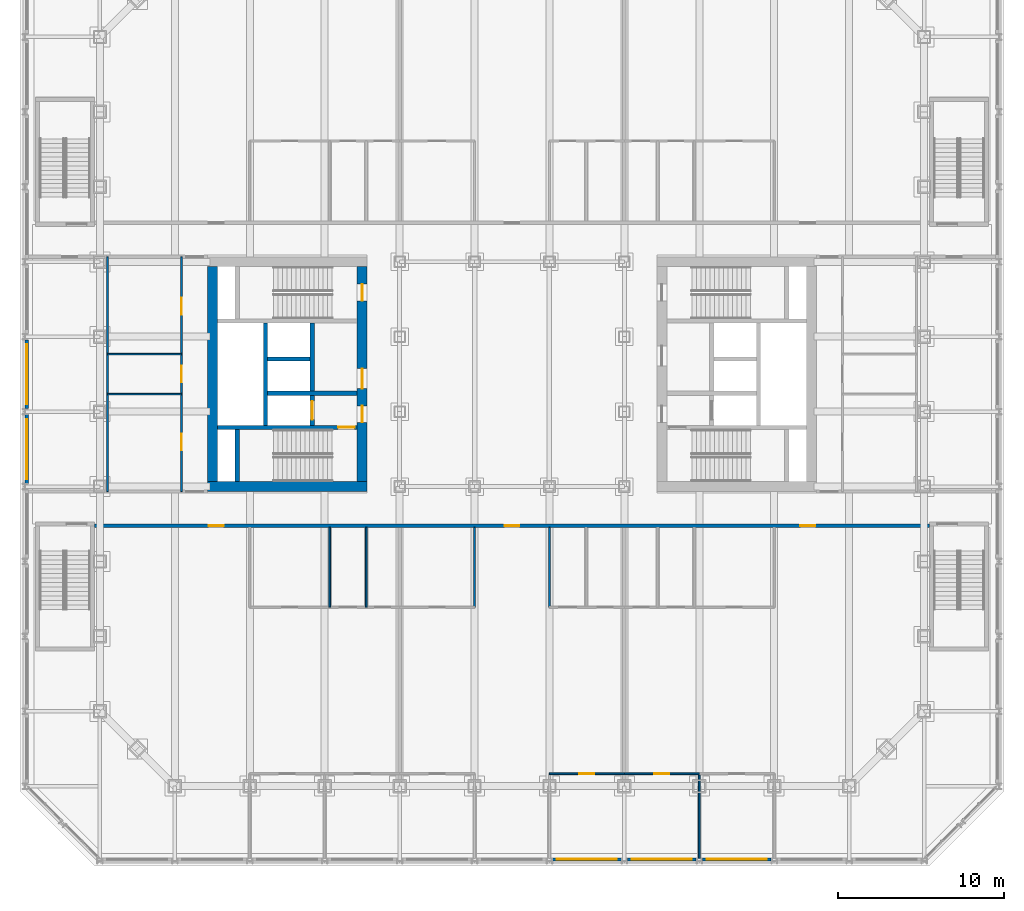
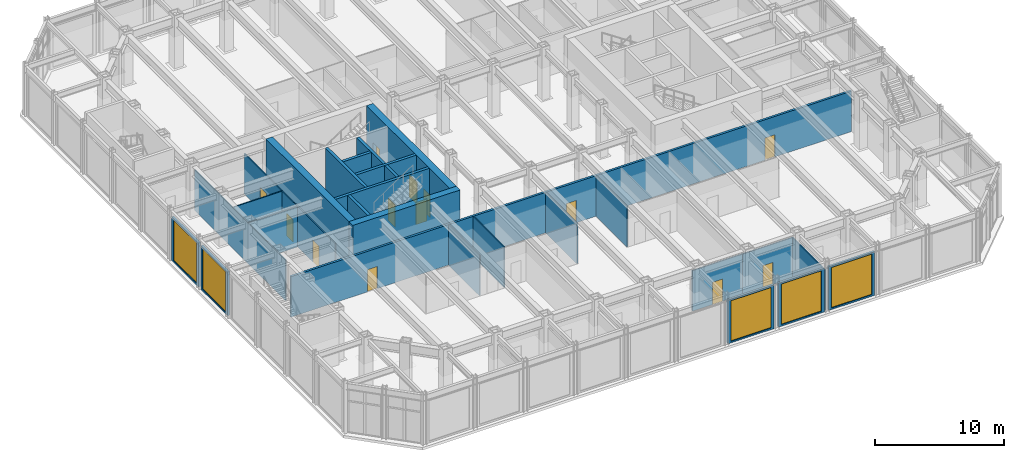
# One storey, part 11 of 19: 26 walls, 13 doors, 5 windows, 18 openings.
"""IFC4 building model written with IfcOpenShell, lengths in metres."""

from ifc_helpers import new_model, si_unit, direction, frame, frame_2d, origin, place, context, subcontext, project, spatial, rectangle, extrude, material, layer, layer_set, type_object, element, fill, save


model = new_model("IFC4")

# Units and contexts
model_context = context("Model", 3, precision=1e-05, world=origin(), true_north=direction((0.0, 1.0)))
body_context = subcontext(model_context, "Body", "Model", "MODEL_VIEW")
ifc_project = project(units=[si_unit("LENGTHUNIT", "METRE"), si_unit("AREAUNIT", "SQUARE_METRE"), si_unit("VOLUMEUNIT", "CUBIC_METRE"), si_unit("PLANEANGLEUNIT", "RADIAN"), si_unit("MASSUNIT", "GRAM", prefix="KILO")], contexts=[model_context])

# Site, building, storey
site_placement = place(None, origin())
site = spatial("IfcSite", under=ifc_project, at=site_placement, CompositionType="ELEMENT")
building_placement = place(site_placement, origin())
building = spatial("IfcBuilding", under=site, at=building_placement, Name="Msasa Ring Tower", CompositionType="ELEMENT")
storey_placement = place(building_placement, frame((0.0, 0.0, 6.0)))
storey = spatial("IfcBuildingStorey", under=building, at=storey_placement, Name="L01", CompositionType="ELEMENT", Elevation=6.0)

# Wall
ifc_material_1 = material(Name="Concrete C60/75", Category="concrete")
ifc_layer_1 = layer(ifc_material_1, 0.60009765625)
ifc_layer_set_1 = layer_set([ifc_layer_1], Name="CW1 CORE WALL 600")
wall_type_1 = type_object("IfcWallType", Name="CW1 CORE WALL 600", PredefinedType="SHEAR", material=ifc_layer_set_1)
wall_1_placement = place(storey_placement, frame((-8.699951171875, -6.75, 0.0), z_axis=(0.0, 0.0, 1.0), x_axis=(-1.0, 0.0, 0.0)))
element("IfcWall", 1, at=wall_1_placement, inside=storey, type_object=wall_type_1, Name="W core wall S L01", PredefinedType="SHEAR", context=body_context, shape_type="SweptSolid", body=[
    extrude(rectangle(XDim=9.60009765625, YDim=0.60009765625, at=frame_2d((4.800048828125, 0.0))), origin(), (0.0, 0.0, 1.0), 5.0),
])

# Wall, openings, doors
wall_2_placement = place(storey_placement, frame((-9.0, -6.449951171875, 0.0), z_axis=(0.0, 0.0, 1.0), x_axis=(0.0, 1.0, 0.0)))
wall_2 = element("IfcWall", 2, at=wall_2_placement, inside=storey, type_object=wall_type_1, Name="W core wall W L01", PredefinedType="SHEAR", context=body_context, shape_type="SweptSolid", body=[
    extrude(rectangle(XDim=12.89990234375, YDim=0.60009765625, at=frame_2d((6.449951171875, 0.0))), origin(), (0.0, 0.0, 1.0), 5.0),
])
opening_1_placement = place(wall_2_placement, frame((3.550048828125, 0.0, 0.0)))
opening_1 = element("IfcOpeningElement", 3, at=opening_1_placement, cuts=wall_2, Name="Opening L01-027", PredefinedType="OPENING", context=body_context, shape_type="SweptSolid", body=[
    extrude(rectangle(XDim=1.0, YDim=2.10009765625, at=frame_2d((0.5, 1.050048828125))), frame((0.0, 0.31005859375, 0.0), z_axis=(0.0, -1.0, 0.0), x_axis=(1.0, 0.0, 0.0)), (0.0, 0.0, 1.0), 0.6201171875),
])
opening_2_placement = place(wall_2_placement, frame((5.574951171875, 0.0, 0.0)))
opening_2 = element("IfcOpeningElement", 4, at=opening_2_placement, cuts=wall_2, Name="Opening L01-026", PredefinedType="OPENING", context=body_context, shape_type="SweptSolid", body=[
    extrude(rectangle(XDim=1.199951171875, YDim=2.10009765625, at=frame_2d((0.60009765625, 1.050048828125))), frame((0.0, 0.31005859375, 0.0), z_axis=(0.0, -1.0, 0.0), x_axis=(1.0, 0.0, 0.0)), (0.0, 0.0, 1.0), 0.6201171875),
])
opening_3_placement = place(wall_2_placement, frame((10.85009765625, 0.0, 0.0)))
opening_3 = element("IfcOpeningElement", 5, at=opening_3_placement, cuts=wall_2, Name="Opening L01-019", PredefinedType="OPENING", context=body_context, shape_type="SweptSolid", body=[
    extrude(rectangle(XDim=1.0, YDim=2.10009765625, at=frame_2d((0.5, 1.050048828125))), frame((0.0, 0.31005859375, 0.0), z_axis=(0.0, -1.0, 0.0), x_axis=(1.0, 0.0, 0.0)), (0.0, 0.0, 1.0), 0.6201171875),
])
ifc_material_2 = material(Name="Timber door leaf in a steel frame", Category="steel")
door_type_1 = type_object("IfcDoorType", Name="D26 WIDE SERVICE ROOM DOOR 1200x2100", OperationType="SINGLE_SWING_LEFT", PredefinedType="DOOR", material=ifc_material_2)
door_1_placement = place(opening_2_placement, origin())
door_1 = element("IfcDoor", 6, at=door_1_placement, inside=storey, type_object=door_type_1, Name="Door L01-WCR", OperationType="SINGLE_SWING_LEFT", OverallHeight=2.10009765625, OverallWidth=1.199951171875, PredefinedType="DOOR", context=body_context, shape_type="SweptSolid", body=[
    extrude(rectangle(XDim=1.199951171875, YDim=2.10009765625, at=frame_2d((0.60009765625, 1.050048828125))), frame((0.0, 0.02490234375, 0.0), z_axis=(0.0, -1.0, 0.0), x_axis=(1.0, 0.0, 0.0)), (0.0, 0.0, 1.0), 0.050048828125),
])
fill(opening_2, door_1)
ifc_material_3 = material(Name="Timber door leaf in a steel frame", Category="steel")
door_type_2 = type_object("IfcDoorType", Name="D4 LOBBY DOOR 1000x2100", OperationType="SINGLE_SWING_LEFT", PredefinedType="DOOR", material=ifc_material_3)
door_2_placement = place(opening_1_placement, origin())
door_2 = element("IfcDoor", 7, at=door_2_placement, inside=storey, type_object=door_type_2, Name="Door L01-WFFL", OperationType="SINGLE_SWING_LEFT", OverallHeight=2.10009765625, OverallWidth=1.0, PredefinedType="DOOR", context=body_context, shape_type="SweptSolid", body=[
    extrude(rectangle(XDim=1.0, YDim=2.10009765625, at=frame_2d((0.5, 1.050048828125))), frame((0.0, 0.02490234375, 0.0), z_axis=(0.0, -1.0, 0.0), x_axis=(1.0, 0.0, 0.0)), (0.0, 0.0, 1.0), 0.050048828125),
])
fill(opening_1, door_2)
ifc_material_4 = material(Name="Timber door leaf in a steel frame", Category="steel")
door_type_3 = type_object("IfcDoorType", Name="D6 STAIR DOOR 1000x2100", OperationType="SINGLE_SWING_LEFT", PredefinedType="DOOR", material=ifc_material_4)
door_3_placement = place(opening_3_placement, origin())
door_3 = element("IfcDoor", 8, at=door_3_placement, inside=storey, type_object=door_type_3, Name="Door L01-WSTB", OperationType="SINGLE_SWING_RIGHT", OverallHeight=2.10009765625, OverallWidth=1.0, PredefinedType="DOOR", context=body_context, shape_type="SweptSolid", body=[
    extrude(rectangle(XDim=1.0, YDim=2.10009765625, at=frame_2d((0.5, 1.050048828125))), frame((0.0, 0.02490234375, 0.0), z_axis=(0.0, -1.0, 0.0), x_axis=(1.0, 0.0, 0.0)), (0.0, 0.0, 1.0), 0.050048828125),
])
fill(opening_3, door_3)

# Wall
wall_3_placement = place(storey_placement, frame((-18.0, -6.449951171875, 0.0), z_axis=(0.0, 0.0, 1.0), x_axis=(0.0, 1.0, 0.0)))
element("IfcWall", 9, at=wall_3_placement, inside=storey, type_object=wall_type_1, Name="W core wall E L01", PredefinedType="SHEAR", context=body_context, shape_type="SweptSolid", body=[
    extrude(rectangle(XDim=12.89990234375, YDim=0.60009765625, at=frame_2d((6.449951171875, 0.0))), origin(), (0.0, 0.0, 1.0), 5.0),
])

# Wall, opening, door
ifc_material_5 = material(Name="Concrete C60/75", Category="concrete")
ifc_layer_2 = layer(ifc_material_5, 0.25)
ifc_layer_set_2 = layer_set([ifc_layer_2], Name="CW4 CORE INNER WALL 250")
wall_type_2 = type_object("IfcWallType", Name="CW4 CORE INNER WALL 250", PredefinedType="SHEAR", material=ifc_layer_set_2)
wall_4_placement = place(storey_placement, frame((-9.300048828125, -3.199951171875, 0.0), z_axis=(0.0, 0.0, 1.0), x_axis=(-1.0, 0.0, 0.0)))
wall_4 = element("IfcWall", 10, at=wall_4_placement, inside=storey, type_object=wall_type_2, Name="W core wall STAIRA L01", PredefinedType="SHEAR", context=body_context, shape_type="SweptSolid", body=[
    extrude(rectangle(XDim=8.39990234375, YDim=0.25, at=frame_2d((4.199951171875, 0.0))), origin(), (0.0, 0.0, 1.0), 5.0),
])
opening_4_placement = place(wall_4_placement, frame((0.14990234375, 0.0, 0.0)))
opening_4 = element("IfcOpeningElement", 11, at=opening_4_placement, cuts=wall_4, Name="Opening L01-029", PredefinedType="OPENING", context=body_context, shape_type="SweptSolid", body=[
    extrude(rectangle(XDim=1.0, YDim=2.10009765625, at=frame_2d((0.5, 1.050048828125))), frame((0.0, 0.135009765625, 0.0), z_axis=(0.0, -1.0, 0.0), x_axis=(1.0, 0.0, 0.0)), (0.0, 0.0, 1.0), 0.27001953125),
])
door_4_placement = place(opening_4_placement, origin())
door_4 = element("IfcDoor", 12, at=door_4_placement, inside=storey, type_object=door_type_3, Name="Door L01-WSTA", OperationType="SINGLE_SWING_LEFT", OverallHeight=2.10009765625, OverallWidth=1.0, PredefinedType="DOOR", context=body_context, shape_type="SweptSolid", body=[
    extrude(rectangle(XDim=1.0, YDim=2.10009765625, at=frame_2d((0.5, 1.050048828125))), frame((0.0, 0.02490234375, 0.0), z_axis=(0.0, -1.0, 0.0), x_axis=(1.0, 0.0, 0.0)), (0.0, 0.0, 1.0), 0.050048828125),
])
fill(opening_4, door_4)

# Walls
wall_5_placement = place(storey_placement, frame((-16.5, -6.449951171875, 0.0), z_axis=(0.0, 0.0, 1.0), x_axis=(0.0, 1.0, 0.0)))
element("IfcWall", 13, at=wall_5_placement, inside=storey, type_object=wall_type_2, Name="W core wall RISERA L01", PredefinedType="SHEAR", context=body_context, shape_type="SweptSolid", body=[
    extrude(rectangle(XDim=3.125, YDim=0.25, at=frame_2d((1.5625, 0.0))), origin(), (0.0, 0.0, 1.0), 5.0),
])
wall_6_placement = place(storey_placement, frame((-9.300048828125, -1.14990234375, 0.0), z_axis=(0.0, 0.0, 1.0), x_axis=(-1.0, 0.0, 0.0)))
element("IfcWall", 14, at=wall_6_placement, inside=storey, type_object=wall_type_2, Name="W core wall FFL L01", PredefinedType="SHEAR", context=body_context, shape_type="SweptSolid", body=[
    extrude(rectangle(XDim=5.375, YDim=0.25, at=frame_2d((2.6875, 0.0))), origin(), (0.0, 0.0, 1.0), 5.0),
])

# Wall, opening, door
wall_7_placement = place(storey_placement, frame((-12.0, -3.074951171875, 0.0), z_axis=(0.0, 0.0, 1.0), x_axis=(0.0, 1.0, 0.0)))
wall_7 = element("IfcWall", 15, at=wall_7_placement, inside=storey, type_object=wall_type_2, Name="W core wall LOBBY L01", PredefinedType="SHEAR", context=body_context, shape_type="SweptSolid", body=[
    extrude(rectangle(XDim=6.14990234375, YDim=0.25, at=frame_2d((3.074951171875, 0.0))), origin(), (0.0, 0.0, 1.0), 5.0),
])
opening_5_placement = place(wall_7_placement, frame((0.35009765625, 0.0, 0.0)))
opening_5 = element("IfcOpeningElement", 16, at=opening_5_placement, cuts=wall_7, Name="Opening LD1", PredefinedType="OPENING", context=body_context, shape_type="SweptSolid", body=[
    extrude(rectangle(XDim=1.10009765625, YDim=2.10009765625, at=frame_2d((0.550048828125, 1.050048828125))), frame((0.0, 0.135009765625, 0.0), z_axis=(0.0, -1.0, 0.0), x_axis=(1.0, 0.0, 0.0)), (0.0, 0.0, 1.0), 0.27001953125),
])
ifc_material_6 = material(Name="Stainless steel lift landing door", Category="steel")
door_type_4 = type_object("IfcDoorType", Name="LD1 LIFT LANDING DOOR 1100x2100", OperationType="DOUBLE_DOOR_SLIDING", PredefinedType="DOOR", material=ifc_material_6)
door_5_placement = place(opening_5_placement, origin())
door_5 = element("IfcDoor", 17, at=door_5_placement, inside=storey, type_object=door_type_4, Name="Lift landing door FL-W L01", OperationType="DOUBLE_DOOR_SLIDING", OverallHeight=2.10009765625, OverallWidth=1.10009765625, PredefinedType="DOOR", context=body_context, shape_type="SweptSolid", body=[
    extrude(rectangle(XDim=1.10009765625, YDim=2.10009765625, at=frame_2d((0.550048828125, 1.050048828125))), frame((0.0, 0.02490234375, 0.0), z_axis=(0.0, -1.0, 0.0), x_axis=(1.0, 0.0, 0.0)), (0.0, 0.0, 1.0), 0.050048828125),
])
fill(opening_5, door_5)

# Walls
wall_8_placement = place(storey_placement, frame((-14.800048828125, -3.074951171875, 0.0), z_axis=(0.0, 0.0, 1.0), x_axis=(0.0, 1.0, 0.0)))
element("IfcWall", 18, at=wall_8_placement, inside=storey, type_object=wall_type_2, Name="W core wall SHAFT L01", PredefinedType="SHEAR", context=body_context, shape_type="SweptSolid", body=[
    extrude(rectangle(XDim=6.14990234375, YDim=0.25, at=frame_2d((3.074951171875, 0.0))), origin(), (0.0, 0.0, 1.0), 5.0),
])
wall_9_placement = place(storey_placement, frame((-12.125, 0.89990234375, 0.0), z_axis=(0.0, 0.0, 1.0), x_axis=(-1.0, 0.0, 0.0)))
element("IfcWall", 19, at=wall_9_placement, inside=storey, type_object=wall_type_2, Name="W core wall LIFT1 L01", PredefinedType="SHEAR", context=body_context, shape_type="SweptSolid", body=[
    extrude(rectangle(XDim=2.550048828125, YDim=0.25, at=frame_2d((1.27490234375, 0.0))), origin(), (0.0, 0.0, 1.0), 5.0),
])

# Wall, opening, window
ifc_material_7 = material(Name="Terracotta rainscreen on blockwork", Category="masonry")
ifc_layer_3 = layer(ifc_material_7, 0.199951171875)
ifc_layer_set_3 = layer_set([ifc_layer_3], Name="FW2 TERRACOTTA PODIUM BAY WALL 200")
wall_type_3 = type_object("IfcWallType", Name="FW2 TERRACOTTA PODIUM BAY WALL 200", PredefinedType="SOLIDWALL", material=ifc_layer_set_3)
wall_10_placement = place(storey_placement, frame((2.437744140625, -29.14990234375, 0.0), z_axis=(0.0, 0.0, 1.0), x_axis=(1.0, 0.0, 0.0)))
wall_10 = element("IfcWall", 20, at=wall_10_placement, inside=storey, type_object=wall_type_3, Name="Podium bay wall S L01 06", PredefinedType="SOLIDWALL", context=body_context, shape_type="SweptSolid", body=[
    extrude(rectangle(XDim=4.124755859375, YDim=0.199951171875, at=frame_2d((2.0625, 0.0))), origin(), (0.0, 0.0, 1.0), 4.1328125),
])
opening_6_placement = place(wall_10_placement, frame((0.26220703125, 0.0, 0.14990234375)))
opening_6 = element("IfcOpeningElement", 21, at=opening_6_placement, cuts=wall_10, Name="Opening SF2", PredefinedType="OPENING", context=body_context, shape_type="SweptSolid", body=[
    extrude(rectangle(XDim=3.60009765625, YDim=3.8330078125, at=frame_2d((1.800048828125, 1.91650390625))), frame((0.0, 0.10986328125, 0.0), z_axis=(0.0, -1.0, 0.0), x_axis=(1.0, 0.0, 0.0)), (0.0, 0.0, 1.0), 0.219970703125),
])
ifc_material_8 = material(Name="Aluminium frame with clear glass", Category="aluminium")
window_type = type_object("IfcWindowType", Name="SF2 SHOPFRONT GLAZING 3600x3833", PartitioningType="SINGLE_PANEL", PredefinedType="WINDOW", material=ifc_material_8)
window_1_placement = place(opening_6_placement, origin())
window_1 = element("IfcWindow", 22, at=window_1_placement, inside=storey, type_object=window_type, Name="Shopfront glazing S L01 06", OverallHeight=3.8330078125, OverallWidth=3.60009765625, PartitioningType="SINGLE_PANEL", PredefinedType="WINDOW", context=body_context, shape_type="SweptSolid", body=[
    extrude(rectangle(XDim=3.60009765625, YDim=3.8330078125, at=frame_2d((1.800048828125, 1.91650390625))), frame((0.0, 0.030029296875, 0.0), z_axis=(0.0, -1.0, 0.0), x_axis=(1.0, 0.0, 0.0)), (0.0, 0.0, 1.0), 0.06005859375),
])
fill(opening_6, window_1)

wall_11_placement = place(storey_placement, frame((6.9375, -29.14990234375, 0.0), z_axis=(0.0, 0.0, 1.0), x_axis=(1.0, 0.0, 0.0)))
wall_11 = element("IfcWall", 23, at=wall_11_placement, inside=storey, type_object=wall_type_3, Name="Podium bay wall S L01 07", PredefinedType="SOLIDWALL", context=body_context, shape_type="SweptSolid", body=[
    extrude(rectangle(XDim=4.125, YDim=0.199951171875, at=frame_2d((2.0625, 0.0))), origin(), (0.0, 0.0, 1.0), 4.1328125),
])
opening_7_placement = place(wall_11_placement, frame((0.262451171875, 0.0, 0.14990234375)))
opening_7 = element("IfcOpeningElement", 24, at=opening_7_placement, cuts=wall_11, Name="Opening SF2", PredefinedType="OPENING", context=body_context, shape_type="SweptSolid", body=[
    extrude(rectangle(XDim=3.60009765625, YDim=3.8330078125, at=frame_2d((1.800048828125, 1.91650390625))), frame((0.0, 0.10986328125, 0.0), z_axis=(0.0, -1.0, 0.0), x_axis=(1.0, 0.0, 0.0)), (0.0, 0.0, 1.0), 0.219970703125),
])
window_2_placement = place(opening_7_placement, origin())
window_2 = element("IfcWindow", 25, at=window_2_placement, inside=storey, type_object=window_type, Name="Shopfront glazing S L01 07", OverallHeight=3.8330078125, OverallWidth=3.60009765625, PartitioningType="SINGLE_PANEL", PredefinedType="WINDOW", context=body_context, shape_type="SweptSolid", body=[
    extrude(rectangle(XDim=3.60009765625, YDim=3.8330078125, at=frame_2d((1.800048828125, 1.91650390625))), frame((0.0, 0.030029296875, 0.0), z_axis=(0.0, -1.0, 0.0), x_axis=(1.0, 0.0, 0.0)), (0.0, 0.0, 1.0), 0.06005859375),
])
fill(opening_7, window_2)

wall_12_placement = place(storey_placement, frame((11.4375, -29.14990234375, 0.0), z_axis=(0.0, 0.0, 1.0), x_axis=(1.0, 0.0, 0.0)))
wall_12 = element("IfcWall", 26, at=wall_12_placement, inside=storey, type_object=wall_type_3, Name="Podium bay wall S L01 08", PredefinedType="SOLIDWALL", context=body_context, shape_type="SweptSolid", body=[
    extrude(rectangle(XDim=4.125, YDim=0.199951171875, at=frame_2d((2.0625, 0.0))), origin(), (0.0, 0.0, 1.0), 4.1328125),
])
opening_8_placement = place(wall_12_placement, frame((0.262451171875, 0.0, 0.14990234375)))
opening_8 = element("IfcOpeningElement", 27, at=opening_8_placement, cuts=wall_12, Name="Opening SF2", PredefinedType="OPENING", context=body_context, shape_type="SweptSolid", body=[
    extrude(rectangle(XDim=3.60009765625, YDim=3.8330078125, at=frame_2d((1.800048828125, 1.91650390625))), frame((0.0, 0.10986328125, 0.0), z_axis=(0.0, -1.0, 0.0), x_axis=(1.0, 0.0, 0.0)), (0.0, 0.0, 1.0), 0.219970703125),
])
window_3_placement = place(opening_8_placement, origin())
window_3 = element("IfcWindow", 28, at=window_3_placement, inside=storey, type_object=window_type, Name="Shopfront glazing S L01 08", OverallHeight=3.8330078125, OverallWidth=3.60009765625, PartitioningType="SINGLE_PANEL", PredefinedType="WINDOW", context=body_context, shape_type="SweptSolid", body=[
    extrude(rectangle(XDim=3.60009765625, YDim=3.8330078125, at=frame_2d((1.800048828125, 1.91650390625))), frame((0.0, 0.030029296875, 0.0), z_axis=(0.0, -1.0, 0.0), x_axis=(1.0, 0.0, 0.0)), (0.0, 0.0, 1.0), 0.06005859375),
])
fill(opening_8, window_3)

wall_13_placement = place(storey_placement, frame((-29.14990234375, -6.5625, 0.0), z_axis=(0.0, 0.0, 1.0), x_axis=(0.0, 1.0, 0.0)))
wall_13 = element("IfcWall", 29, at=wall_13_placement, inside=storey, type_object=wall_type_3, Name="Podium bay wall W L01 43", PredefinedType="SOLIDWALL", context=body_context, shape_type="SweptSolid", body=[
    extrude(rectangle(XDim=4.124755859375, YDim=0.199951171875, at=frame_2d((2.0625, 0.0))), origin(), (0.0, 0.0, 1.0), 4.1328125),
])
opening_9_placement = place(wall_13_placement, frame((0.262451171875, 0.0, 0.14990234375)))
opening_9 = element("IfcOpeningElement", 30, at=opening_9_placement, cuts=wall_13, Name="Opening SF2", PredefinedType="OPENING", context=body_context, shape_type="SweptSolid", body=[
    extrude(rectangle(XDim=3.60009765625, YDim=3.8330078125, at=frame_2d((1.800048828125, 1.91650390625))), frame((0.0, 0.10986328125, 0.0), z_axis=(0.0, -1.0, 0.0), x_axis=(1.0, 0.0, 0.0)), (0.0, 0.0, 1.0), 0.219970703125),
])
window_4_placement = place(opening_9_placement, origin())
window_4 = element("IfcWindow", 31, at=window_4_placement, inside=storey, type_object=window_type, Name="Shopfront glazing W L01 43", OverallHeight=3.8330078125, OverallWidth=3.60009765625, PartitioningType="SINGLE_PANEL", PredefinedType="WINDOW", context=body_context, shape_type="SweptSolid", body=[
    extrude(rectangle(XDim=3.60009765625, YDim=3.8330078125, at=frame_2d((1.800048828125, 1.91650390625))), frame((0.0, 0.030029296875, 0.0), z_axis=(0.0, -1.0, 0.0), x_axis=(1.0, 0.0, 0.0)), (0.0, 0.0, 1.0), 0.06005859375),
])
fill(opening_9, window_4)

wall_14_placement = place(storey_placement, frame((-29.14990234375, -2.062255859375, 0.0), z_axis=(0.0, 0.0, 1.0), x_axis=(0.0, 1.0, 0.0)))
wall_14 = element("IfcWall", 32, at=wall_14_placement, inside=storey, type_object=wall_type_3, Name="Podium bay wall W L01 44", PredefinedType="SOLIDWALL", context=body_context, shape_type="SweptSolid", body=[
    extrude(rectangle(XDim=4.12451171875, YDim=0.199951171875, at=frame_2d((2.062255859375, 0.0))), origin(), (0.0, 0.0, 1.0), 4.1328125),
])
opening_10_placement = place(wall_14_placement, frame((0.26220703125, 0.0, 0.14990234375)))
opening_10 = element("IfcOpeningElement", 33, at=opening_10_placement, cuts=wall_14, Name="Opening SF2", PredefinedType="OPENING", context=body_context, shape_type="SweptSolid", body=[
    extrude(rectangle(XDim=3.60009765625, YDim=3.8330078125, at=frame_2d((1.800048828125, 1.91650390625))), frame((0.0, 0.10986328125, 0.0), z_axis=(0.0, -1.0, 0.0), x_axis=(1.0, 0.0, 0.0)), (0.0, 0.0, 1.0), 0.219970703125),
])
window_5_placement = place(opening_10_placement, origin())
window_5 = element("IfcWindow", 34, at=window_5_placement, inside=storey, type_object=window_type, Name="Shopfront glazing W L01 44", OverallHeight=3.8330078125, OverallWidth=3.60009765625, PartitioningType="SINGLE_PANEL", PredefinedType="WINDOW", context=body_context, shape_type="SweptSolid", body=[
    extrude(rectangle(XDim=3.60009765625, YDim=3.8330078125, at=frame_2d((1.800048828125, 1.91650390625))), frame((0.0, 0.030029296875, 0.0), z_axis=(0.0, -1.0, 0.0), x_axis=(1.0, 0.0, 0.0)), (0.0, 0.0, 1.0), 0.06005859375),
])
fill(opening_10, window_5)

# Wall, openings, doors
ifc_material_9 = material(Name="Concrete blockwork", Category="masonry")
ifc_layer_4 = layer(ifc_material_9, 0.199951171875)
ifc_layer_set_4 = layer_set([ifc_layer_4], Name="PT1 CORRIDOR WALL 200")
wall_type_4 = type_object("IfcWallType", Name="PT1 CORRIDOR WALL 200", PredefinedType="PARTITIONING", material=ifc_layer_set_4)
wall_15_placement = place(storey_placement, frame((-25.074951171875, -9.10009765625, 0.0), z_axis=(0.0, 0.0, 1.0), x_axis=(1.0, 0.0, 0.0)))
wall_15 = element("IfcWall", 35, at=wall_15_placement, inside=storey, type_object=wall_type_4, Name="Corridor wall L01-CORRS1", PredefinedType="PARTITIONING", context=body_context, shape_type="SweptSolid", body=[
    extrude(rectangle(XDim=50.14990234375, YDim=0.199951171875, at=frame_2d((25.074951171875, 0.0))), origin(), (0.0, 0.0, 1.0), 3.8291015625),
])
opening_11_placement = place(wall_15_placement, frame((6.85009765625, 0.0, 0.0)))
opening_11 = element("IfcOpeningElement", 36, at=opening_11_placement, cuts=wall_15, Name="Opening L01-037", PredefinedType="OPENING", context=body_context, shape_type="SweptSolid", body=[
    extrude(rectangle(XDim=0.89990234375, YDim=2.10009765625, at=frame_2d((0.449951171875, 1.050048828125))), frame((0.0, 0.10986328125, 0.0), z_axis=(0.0, -1.0, 0.0), x_axis=(1.0, 0.0, 0.0)), (0.0, 0.0, 1.0), 0.219970703125),
])
opening_12_placement = place(wall_15_placement, frame((24.625, 0.0, 0.0)))
opening_12 = element("IfcOpeningElement", 37, at=opening_12_placement, cuts=wall_15, Name="Opening L01-038", PredefinedType="OPENING", context=body_context, shape_type="SweptSolid", body=[
    extrude(rectangle(XDim=0.89990234375, YDim=2.10009765625, at=frame_2d((0.449951171875, 1.050048828125))), frame((0.0, 0.10986328125, 0.0), z_axis=(0.0, -1.0, 0.0), x_axis=(1.0, 0.0, 0.0)), (0.0, 0.0, 1.0), 0.219970703125),
])
opening_13_placement = place(wall_15_placement, frame((42.39990234375, 0.0, 0.0)))
opening_13 = element("IfcOpeningElement", 38, at=opening_13_placement, cuts=wall_15, Name="Opening L01-039", PredefinedType="OPENING", context=body_context, shape_type="SweptSolid", body=[
    extrude(rectangle(XDim=0.89990234375, YDim=2.10009765625, at=frame_2d((0.449951171875, 1.050048828125))), frame((0.0, 0.10986328125, 0.0), z_axis=(0.0, -1.0, 0.0), x_axis=(1.0, 0.0, 0.0)), (0.0, 0.0, 1.0), 0.219970703125),
])
ifc_material_10 = material(Name="Timber door leaf in a steel frame", Category="steel")
door_type_5 = type_object("IfcDoorType", Name="D1 SINGLE DOOR TO CORRIDOR 900x2100", OperationType="SINGLE_SWING_LEFT", PredefinedType="DOOR", material=ifc_material_10)
door_6_placement = place(opening_11_placement, origin())
door_6 = element("IfcDoor", 39, at=door_6_placement, inside=storey, type_object=door_type_5, Name="Door L01-PDS0", OperationType="SINGLE_SWING_LEFT", OverallHeight=2.10009765625, OverallWidth=0.89990234375, PredefinedType="DOOR", context=body_context, shape_type="SweptSolid", body=[
    extrude(rectangle(XDim=0.89990234375, YDim=2.10009765625, at=frame_2d((0.449951171875, 1.050048828125))), frame((0.0, 0.02490234375, 0.0), z_axis=(0.0, -1.0, 0.0), x_axis=(1.0, 0.0, 0.0)), (0.0, 0.0, 1.0), 0.050048828125),
])
fill(opening_11, door_6)
door_7_placement = place(opening_12_placement, origin())
door_7 = element("IfcDoor", 40, at=door_7_placement, inside=storey, type_object=door_type_5, Name="Door L01-PDS1", OperationType="SINGLE_SWING_LEFT", OverallHeight=2.10009765625, OverallWidth=0.89990234375, PredefinedType="DOOR", context=body_context, shape_type="SweptSolid", body=[
    extrude(rectangle(XDim=0.89990234375, YDim=2.10009765625, at=frame_2d((0.449951171875, 1.050048828125))), frame((0.0, 0.02490234375, 0.0), z_axis=(0.0, -1.0, 0.0), x_axis=(1.0, 0.0, 0.0)), (0.0, 0.0, 1.0), 0.050048828125),
])
fill(opening_12, door_7)
door_8_placement = place(opening_13_placement, origin())
door_8 = element("IfcDoor", 41, at=door_8_placement, inside=storey, type_object=door_type_5, Name="Door L01-PDS2", OperationType="SINGLE_SWING_RIGHT", OverallHeight=2.10009765625, OverallWidth=0.89990234375, PredefinedType="DOOR", context=body_context, shape_type="SweptSolid", body=[
    extrude(rectangle(XDim=0.89990234375, YDim=2.10009765625, at=frame_2d((0.449951171875, 1.050048828125))), frame((0.0, 0.02490234375, 0.0), z_axis=(0.0, -1.0, 0.0), x_axis=(1.0, 0.0, 0.0)), (0.0, 0.0, 1.0), 0.050048828125),
])
fill(opening_13, door_8)

# Walls
ifc_material_11 = material(Name="Gypsum board on steel studs", Category="steel")
ifc_layer_5 = layer(ifc_material_11, 0.10009765625)
ifc_layer_set_5 = layer_set([ifc_layer_5], Name="PT2 STUD PARTITION 100")
wall_type_5 = type_object("IfcWallType", Name="PT2 STUD PARTITION 100", PredefinedType="PARTITIONING", material=ifc_layer_set_5)
for number, where, z_axis, x_axis, name in (
    (42, (-10.949951171875, -14.0, 0.0), (0.0, 0.0, 1.0), (0.0, 1.0, 0.0), "Partition L01-PDS0BX-10.95"),
    (43, (-8.75, -14.0, 0.0), (0.0, 0.0, 1.0), (0.0, 1.0, 0.0), "Partition L01-PDS0BX-8.75"),
    (44, (-2.25, -14.0, 0.0), (0.0, 0.0, 1.0), (0.0, 1.0, 0.0), "Partition L01-PDS1BX-2.25"),
    (45, (2.25, -14.0, 0.0), (0.0, 0.0, 1.0), (0.0, 1.0, 0.0), "Partition L01-PDS1BX+2.25"),
):
    element("IfcWall", number, at=place(storey_placement, frame(where, z_axis=z_axis, x_axis=x_axis)), inside=storey, type_object=wall_type_5, Name=name, PredefinedType="PARTITIONING", context=body_context, shape_type="SweptSolid", body=[
        extrude(rectangle(XDim=4.800048828125, YDim=0.10009765625, at=frame_2d((2.39990234375, 0.0))), origin(), (0.0, 0.0, 1.0), 3.8291015625),
    ])

# Wall, opening, door
wall_16_placement = place(storey_placement, frame((2.25, -24.0, 0.0), z_axis=(0.0, 0.0, 1.0), x_axis=(1.0, 0.0, 0.0)))
wall_16 = element("IfcWall", 46, at=wall_16_placement, inside=storey, type_object=wall_type_5, Name="Partition L01-PDS1FY1", PredefinedType="PARTITIONING", context=body_context, shape_type="SweptSolid", body=[
    extrude(rectangle(XDim=4.5, YDim=0.10009765625, at=frame_2d((2.25, 0.0))), origin(), (0.0, 0.0, 1.0), 3.8291015625),
])
opening_14_placement = place(wall_16_placement, frame((1.800048828125, 0.0, 0.0)))
opening_14 = element("IfcOpeningElement", 47, at=opening_14_placement, cuts=wall_16, Name="Opening L01-052", PredefinedType="OPENING", context=body_context, shape_type="SweptSolid", body=[
    extrude(rectangle(XDim=0.89990234375, YDim=2.10009765625, at=frame_2d((0.449951171875, 1.050048828125))), frame((0.0, 0.06005859375, 0.0), z_axis=(0.0, -1.0, 0.0), x_axis=(1.0, 0.0, 0.0)), (0.0, 0.0, 1.0), 0.1201171875),
])
ifc_material_12 = material(Name="Timber door leaf in a steel frame", Category="steel")
door_type_6 = type_object("IfcDoorType", Name="D22 INTERNAL HALL DOOR 900x2100", OperationType="SINGLE_SWING_LEFT", PredefinedType="DOOR", material=ifc_material_12)
door_9_placement = place(opening_14_placement, origin())
door_9 = element("IfcDoor", 48, at=door_9_placement, inside=storey, type_object=door_type_6, Name="Door L01-PDS1F1", OperationType="SINGLE_SWING_LEFT", OverallHeight=2.10009765625, OverallWidth=0.89990234375, PredefinedType="DOOR", context=body_context, shape_type="SweptSolid", body=[
    extrude(rectangle(XDim=0.89990234375, YDim=2.10009765625, at=frame_2d((0.449951171875, 1.050048828125))), frame((0.0, 0.02490234375, 0.0), z_axis=(0.0, -1.0, 0.0), x_axis=(1.0, 0.0, 0.0)), (0.0, 0.0, 1.0), 0.050048828125),
])
fill(opening_14, door_9)

# Wall
wall_17_placement = place(storey_placement, frame((11.25, -29.0888671875, 0.0), z_axis=(0.0, 0.0, 1.0), x_axis=(0.0, 1.0, 0.0)))
element("IfcWall", 49, at=wall_17_placement, inside=storey, type_object=wall_type_5, Name="Partition L01-PDS2FX+11.25", PredefinedType="PARTITIONING", context=body_context, shape_type="SweptSolid", body=[
    extrude(rectangle(XDim=5.0888671875, YDim=0.10009765625, at=frame_2d((2.54443359375, 0.0))), origin(), (0.0, 0.0, 1.0), 3.8291015625),
])

# Wall, opening, door
wall_18_placement = place(storey_placement, frame((6.75, -24.0, 0.0), z_axis=(0.0, 0.0, 1.0), x_axis=(1.0, 0.0, 0.0)))
wall_18 = element("IfcWall", 50, at=wall_18_placement, inside=storey, type_object=wall_type_5, Name="Partition L01-PDS2FY1", PredefinedType="PARTITIONING", context=body_context, shape_type="SweptSolid", body=[
    extrude(rectangle(XDim=4.5, YDim=0.10009765625, at=frame_2d((2.25, 0.0))), origin(), (0.0, 0.0, 1.0), 3.8291015625),
])
opening_15_placement = place(wall_18_placement, frame((1.800048828125, 0.0, 0.0)))
opening_15 = element("IfcOpeningElement", 51, at=opening_15_placement, cuts=wall_18, Name="Opening L01-053", PredefinedType="OPENING", context=body_context, shape_type="SweptSolid", body=[
    extrude(rectangle(XDim=0.89990234375, YDim=2.10009765625, at=frame_2d((0.449951171875, 1.050048828125))), frame((0.0, 0.06005859375, 0.0), z_axis=(0.0, -1.0, 0.0), x_axis=(1.0, 0.0, 0.0)), (0.0, 0.0, 1.0), 0.1201171875),
])
door_10_placement = place(opening_15_placement, origin())
door_10 = element("IfcDoor", 52, at=door_10_placement, inside=storey, type_object=door_type_6, Name="Door L01-PDS2F1", OperationType="SINGLE_SWING_LEFT", OverallHeight=2.10009765625, OverallWidth=0.89990234375, PredefinedType="DOOR", context=body_context, shape_type="SweptSolid", body=[
    extrude(rectangle(XDim=0.89990234375, YDim=2.10009765625, at=frame_2d((0.449951171875, 1.050048828125))), frame((0.0, 0.02490234375, 0.0), z_axis=(0.0, -1.0, 0.0), x_axis=(1.0, 0.0, 0.0)), (0.0, 0.0, 1.0), 0.050048828125),
])
fill(opening_15, door_10)

# Wall, openings, doors
wall_19_placement = place(storey_placement, frame((-19.85009765625, -7.050048828125, 0.0), z_axis=(0.0, 0.0, 1.0), x_axis=(0.0, 1.0, 0.0)))
wall_19 = element("IfcWall", 53, at=wall_19_placement, inside=storey, type_object=wall_type_5, Name="Partition L01-WCWL", PredefinedType="PARTITIONING", context=body_context, shape_type="SweptSolid", body=[
    extrude(rectangle(XDim=14.10009765625, YDim=0.10009765625, at=frame_2d((7.050048828125, 0.0))), origin(), (0.0, 0.0, 1.0), 3.8291015625),
])
opening_16_placement = place(wall_19_placement, frame((2.47509765625, 0.0, 0.0)))
opening_16 = element("IfcOpeningElement", 54, at=opening_16_placement, cuts=wall_19, Name="Opening L01-031", PredefinedType="OPENING", context=body_context, shape_type="SweptSolid", body=[
    extrude(rectangle(XDim=1.0, YDim=2.10009765625, at=frame_2d((0.5, 1.050048828125))), frame((0.0, 0.06005859375, 0.0), z_axis=(0.0, -1.0, 0.0), x_axis=(1.0, 0.0, 0.0)), (0.0, 0.0, 1.0), 0.1201171875),
])
opening_17_placement = place(wall_19_placement, frame((6.550048828125, 0.0, 0.0)))
opening_17 = element("IfcOpeningElement", 55, at=opening_17_placement, cuts=wall_19, Name="Opening L01-024", PredefinedType="OPENING", context=body_context, shape_type="SweptSolid", body=[
    extrude(rectangle(XDim=1.0, YDim=2.10009765625, at=frame_2d((0.5, 1.050048828125))), frame((0.0, 0.06005859375, 0.0), z_axis=(0.0, -1.0, 0.0), x_axis=(1.0, 0.0, 0.0)), (0.0, 0.0, 1.0), 0.1201171875),
])
opening_18_placement = place(wall_19_placement, frame((10.625, 0.0, 0.0)))
opening_18 = element("IfcOpeningElement", 56, at=opening_18_placement, cuts=wall_19, Name="Opening L01-021", PredefinedType="OPENING", context=body_context, shape_type="SweptSolid", body=[
    extrude(rectangle(XDim=1.0, YDim=2.10009765625, at=frame_2d((0.5, 1.050048828125))), frame((0.0, 0.06005859375, 0.0), z_axis=(0.0, -1.0, 0.0), x_axis=(1.0, 0.0, 0.0)), (0.0, 0.0, 1.0), 0.1201171875),
])
ifc_material_13 = material(Name="Timber door leaf in a steel frame", Category="steel")
door_type_7 = type_object("IfcDoorType", Name="D12 WC DOOR 1000x2100", OperationType="SINGLE_SWING_LEFT", PredefinedType="DOOR", material=ifc_material_13)
door_11_placement = place(opening_16_placement, origin())
door_11 = element("IfcDoor", 57, at=door_11_placement, inside=storey, type_object=door_type_7, Name="Door L01-WCW0", OperationType="SINGLE_SWING_LEFT", OverallHeight=2.10009765625, OverallWidth=1.0, PredefinedType="DOOR", context=body_context, shape_type="SweptSolid", body=[
    extrude(rectangle(XDim=1.0, YDim=2.10009765625, at=frame_2d((0.5, 1.050048828125))), frame((0.0, 0.02490234375, 0.0), z_axis=(0.0, -1.0, 0.0), x_axis=(1.0, 0.0, 0.0)), (0.0, 0.0, 1.0), 0.050048828125),
])
fill(opening_16, door_11)
door_12_placement = place(opening_17_placement, origin())
door_12 = element("IfcDoor", 58, at=door_12_placement, inside=storey, type_object=door_type_7, Name="Door L01-WCW1", OperationType="SINGLE_SWING_LEFT", OverallHeight=2.10009765625, OverallWidth=1.0, PredefinedType="DOOR", context=body_context, shape_type="SweptSolid", body=[
    extrude(rectangle(XDim=1.0, YDim=2.10009765625, at=frame_2d((0.5, 1.050048828125))), frame((0.0, 0.02490234375, 0.0), z_axis=(0.0, -1.0, 0.0), x_axis=(1.0, 0.0, 0.0)), (0.0, 0.0, 1.0), 0.050048828125),
])
fill(opening_17, door_12)
door_13_placement = place(opening_18_placement, origin())
door_13 = element("IfcDoor", 59, at=door_13_placement, inside=storey, type_object=door_type_7, Name="Door L01-WCW2", OperationType="SINGLE_SWING_RIGHT", OverallHeight=2.10009765625, OverallWidth=1.0, PredefinedType="DOOR", context=body_context, shape_type="SweptSolid", body=[
    extrude(rectangle(XDim=1.0, YDim=2.10009765625, at=frame_2d((0.5, 1.050048828125))), frame((0.0, 0.02490234375, 0.0), z_axis=(0.0, -1.0, 0.0), x_axis=(1.0, 0.0, 0.0)), (0.0, 0.0, 1.0), 0.050048828125),
])
fill(opening_18, door_13)

# Walls
for number, where, z_axis, x_axis, name in (
    (60, (-24.294921875, -1.199951171875, 0.0), (0.0, 0.0, 1.0), (1.0, 0.0, 0.0), "Partition L01-WCWX0"),
    (61, (-24.294921875, 1.199951171875, 0.0), (0.0, 0.0, 1.0), (1.0, 0.0, 0.0), "Partition L01-WCWX1"),
):
    element("IfcWall", number, at=place(storey_placement, frame(where, z_axis=z_axis, x_axis=x_axis)), inside=storey, type_object=wall_type_5, Name=name, PredefinedType="PARTITIONING", context=body_context, shape_type="SweptSolid", body=[
        extrude(rectangle(XDim=4.44482421875, YDim=0.10009765625, at=frame_2d((2.222412109375, 0.0))), origin(), (0.0, 0.0, 1.0), 3.8291015625),
    ])
wall_20_placement = place(storey_placement, frame((-24.294921875, -7.050048828125, 0.0), z_axis=(0.0, 0.0, 1.0), x_axis=(0.0, 1.0, 0.0)))
element("IfcWall", 62, at=wall_20_placement, inside=storey, type_object=wall_type_5, Name="Partition L01-WCWC", PredefinedType="PARTITIONING", context=body_context, shape_type="SweptSolid", body=[
    extrude(rectangle(XDim=14.10009765625, YDim=0.10009765625, at=frame_2d((7.050048828125, 0.0))), origin(), (0.0, 0.0, 1.0), 3.8291015625),
])

save(model, "model.ifc")
